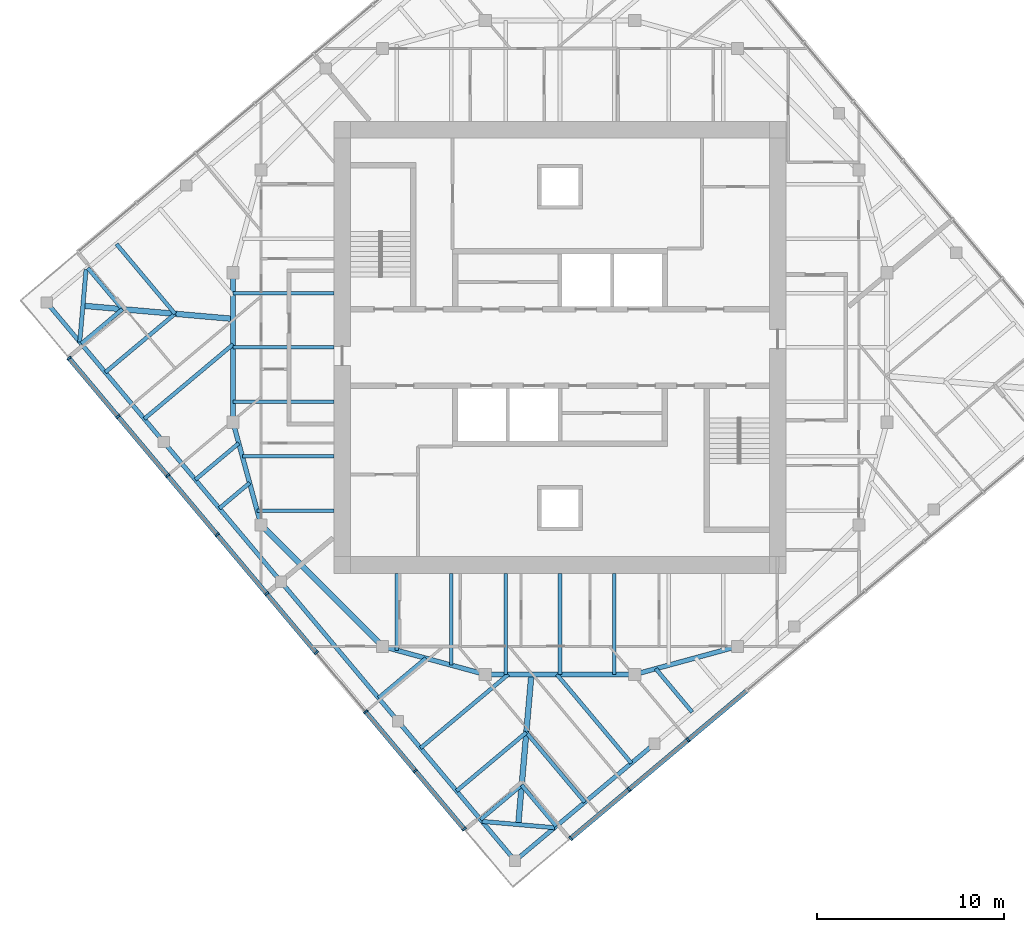
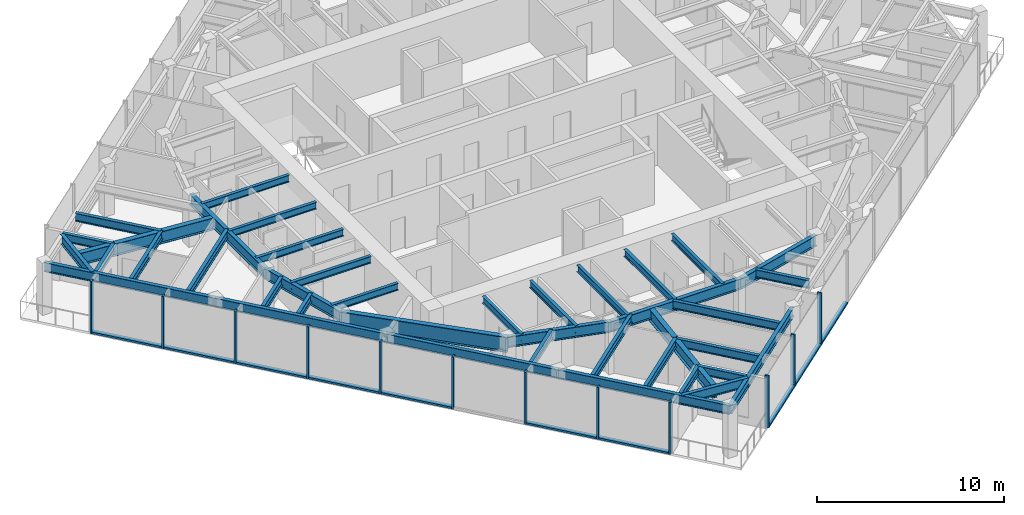
# One storey, part 2 of 12: 40 beams, 22 members, 2 elements without a shape of their own.
"""IFC4 building model written with IfcOpenShell, lengths in metres."""

from ifc_helpers import new_model, si_unit, direction, frame, origin, origin_2d, place, context, subcontext, project, spatial, rectangle, i_section, extrude, material, material_profile, profile_set, type_object, element, aggregate, save


model = new_model("IFC4")

# Units and contexts
model_context = context("Model", 3, precision=1e-05, world=origin(), true_north=direction((0.0, 1.0)))
body_context = subcontext(model_context, "Body", "Model", "MODEL_VIEW")
ifc_project = project(units=[si_unit("LENGTHUNIT", "METRE"), si_unit("AREAUNIT", "SQUARE_METRE"), si_unit("VOLUMEUNIT", "CUBIC_METRE"), si_unit("PLANEANGLEUNIT", "RADIAN"), si_unit("MASSUNIT", "GRAM", prefix="KILO")], contexts=[model_context])

# Site, building, storey
site_placement = place(None, origin())
site = spatial("IfcSite", under=ifc_project, at=site_placement, CompositionType="ELEMENT")
building_placement = place(site_placement, origin())
building = spatial("IfcBuilding", under=site, at=building_placement, Name="Torsade Residences", CompositionType="ELEMENT")
storey_placement = place(building_placement, frame((0.0, 0.0, 289.60009765625)))
storey = spatial("IfcBuildingStorey", under=building, at=storey_placement, Name="L80", CompositionType="ELEMENT", Elevation=289.60009765625)

# Beams
ifc_material_1 = material(Name="Steel grade 300", Category="steel")
ifc_material_profile_1 = material_profile(ifc_material_1, i_section(OverallWidth=0.300048828125, OverallDepth=0.800048828125, WebThickness=0.010009765625, FlangeThickness=0.02001953125, at=origin_2d()), Name="800WB146")
ifc_profile_set_1 = profile_set([ifc_material_profile_1], Name="Steel grade 300")
beam_type_1 = type_object("IfcBeamType", Name="CORNER GIRDER 800WB146", PredefinedType="BEAM", material=ifc_profile_set_1)
for number, where, z_axis, x_axis, name in (
    (1, (37.765869140625, 4.46484375, 2.849853515625), (0.087172957961, 0.996193191806, 0.0), (-0.996193191806, 0.087172957961, 0.0), "Corner girder 01 L81"),
    (2, (14.46484375, 32.234130859375, 2.849853515625), (0.996193191806, -0.087172957961, 0.0), (0.087172957961, 0.996193191806, 0.0), "Corner girder 13 L81"),
):
    element("IfcBeam", number, at=place(storey_placement, frame(where, z_axis=z_axis, x_axis=x_axis)), inside=storey, type_object=beam_type_1, Name=name, PredefinedType="BEAM", context=body_context, shape_type="SweptSolid", body=[
        extrude(i_section(OverallWidth=0.300048828125, OverallDepth=0.800048828125, WebThickness=0.010009765625, FlangeThickness=0.02001953125, at=origin_2d()), origin(), (0.0, 0.0, 1.0), 8.06591796875),
    ])
ifc_material_2 = material(Name="Steel grade 300", Category="steel")
ifc_material_profile_2 = material_profile(ifc_material_2, i_section(OverallWidth=0.22802734375, OverallDepth=0.60205078125, WebThickness=0.010498046875, FlangeThickness=0.014892578125, FilletRadius=0.013916015625, at=origin_2d()), Name="610UB101")
ifc_profile_set_2 = profile_set([ifc_material_profile_2], Name="Steel grade 300")
beam_type_2 = type_object("IfcBeamType", Name="CORNER TRIMMER 610UB101", PredefinedType="BEAM", material=ifc_profile_set_2)
for number, where, z_axis, x_axis, name in (
    (3, (39.703125, 4.29541015625, 2.948974609375), (-0.996196646947, 0.087133464362, 0.0), (-0.087133464362, -0.996196646947, 0.0), "Corner trimmer 01 L81"),
    (4, (14.29541015625, 30.296875, 2.948974609375), (0.087133464362, 0.996196646947, 0.0), (-0.996196646947, 0.087133464362, 0.0), "Corner trimmer 13 L81"),
):
    element("IfcBeam", number, at=place(storey_placement, frame(where, z_axis=z_axis, x_axis=x_axis)), inside=storey, type_object=beam_type_2, Name=name, PredefinedType="BEAM", context=body_context, shape_type="SweptSolid", body=[
        extrude(i_section(OverallWidth=0.22802734375, OverallDepth=0.60205078125, WebThickness=0.010498046875, FlangeThickness=0.014892578125, FilletRadius=0.013916015625, at=origin_2d()), origin(), (0.0, 0.0, 1.0), 3.88916015625),
    ])
ifc_material_3 = material(Name="Steel grade 300", Category="steel")
ifc_material_profile_3 = material_profile(ifc_material_3, i_section(OverallWidth=0.22802734375, OverallDepth=0.60205078125, WebThickness=0.010498046875, FlangeThickness=0.014892578125, FilletRadius=0.013916015625, at=origin_2d()), Name="610UB101")
ifc_profile_set_3 = profile_set([ifc_material_profile_3], Name="Steel grade 300")
beam_type_3 = type_object("IfcBeamType", Name="EDGE BEAM 610UB101", PredefinedType="SPANDREL", material=ifc_profile_set_3)
for number, where, z_axis, x_axis, name in (
    (5, (37.596435546875, 2.52783203125, 2.948974609375), (0.766051532934, 0.642779160279, 0.0), (-0.642779160279, 0.766051532934, 0.0), "Edge beam 01 L81"),
    (6, (12.52783203125, 32.403564453125, 2.948974609375), (0.642779160279, -0.766051532934, 0.0), (0.766051532934, 0.642779160279, 0.0), "Edge beam 13 L81"),
    (7, (18.794921875, 24.9345703125, 2.948974609375), (0.642779160279, -0.766051532934, 0.0), (0.766051532934, 0.642779160279, 0.0), "Edge beam 14 L81"),
    (8, (25.06201171875, 17.465576171875, 2.948974609375), (0.642806184154, -0.766028856906, 0.0), (0.766028856906, 0.642806184154, 0.0), "Edge beam 15 L81"),
    (9, (31.329345703125, 9.996826171875, 2.948974609375), (0.642779160279, -0.766051532934, 0.0), (0.766051532934, 0.642779160279, 0.0), "Edge beam 16 L81"),
):
    element("IfcBeam", number, at=place(storey_placement, frame(where, z_axis=z_axis, x_axis=x_axis)), inside=storey, type_object=beam_type_3, Name=name, PredefinedType="SPANDREL", context=body_context, shape_type="SweptSolid", body=[
        extrude(i_section(OverallWidth=0.22802734375, OverallDepth=0.60205078125, WebThickness=0.010498046875, FlangeThickness=0.014892578125, FilletRadius=0.013916015625, at=origin_2d()), origin(), (0.0, 0.0, 1.0), 9.75),
    ])

# Curtain wall, members
ifc_material_4 = material(Name="Aluminium and glass", Category="aluminium")
curtain_wall_type = type_object("IfcCurtainWallType", Name="FRITTED GLASS CURTAIN WALL HIGH ZONE", PredefinedType="NOTDEFINED", material=ifc_material_4)
curtain_wall_1_placement = place(storey_placement, origin())
curtain_wall_1 = element("IfcCurtainWall", 10, at=curtain_wall_1_placement, inside=storey, type_object=curtain_wall_type, Name="Curtain wall L80 face 1", PredefinedType="NOTDEFINED")
ifc_material_5 = material(Name="Aluminium mullion", Category="aluminium")
ifc_material_profile_4 = material_profile(ifc_material_5, rectangle(XDim=0.25, YDim=0.10009765625, at=origin_2d()), Name="HIGH ZONE CURTAIN WALL MULLION 250x100")
ifc_profile_set_4 = profile_set([ifc_material_profile_4], Name="Aluminium mullion")
member_type_1 = type_object("IfcMemberType", Name="HIGH ZONE CURTAIN WALL MULLION 250x100", PredefinedType="MULLION", material=ifc_profile_set_4)
member_1_placement = place(storey_placement, frame((40.57568359375, 3.72216796875, 0.0), z_axis=(0.0, 0.0, 1.0), x_axis=(-0.642787616853, 0.766044437106, 0.0)))
member_1 = element("IfcMember", 11, at=member_1_placement, type_object=member_type_1, Name="Mullion 1", PredefinedType="MULLION", context=body_context, shape_type="SweptSolid", body=[
    extrude(rectangle(XDim=0.25, YDim=0.10009765625, at=origin_2d()), origin(), (0.0, 0.0, 1.0), 3.39990234375),
])
member_2_placement = place(storey_placement, frame((43.697265625, 6.341552734375, 0.0), z_axis=(0.0, 0.0, 1.0), x_axis=(-0.642787616853, 0.766044437106, 0.0)))
member_2 = element("IfcMember", 12, at=member_2_placement, type_object=member_type_1, Name="Mullion 2", PredefinedType="MULLION", context=body_context, shape_type="SweptSolid", body=[
    extrude(rectangle(XDim=0.25, YDim=0.10009765625, at=origin_2d()), origin(), (0.0, 0.0, 1.0), 3.39990234375),
])
member_3_placement = place(storey_placement, frame((46.857177734375, 8.9931640625, 0.0), z_axis=(0.0, 0.0, 1.0), x_axis=(-0.642787616853, 0.766044437106, 0.0)))
member_3 = element("IfcMember", 13, at=member_3_placement, type_object=member_type_1, Name="Mullion 3", PredefinedType="MULLION", context=body_context, shape_type="SweptSolid", body=[
    extrude(rectangle(XDim=0.25, YDim=0.10009765625, at=origin_2d()), origin(), (0.0, 0.0, 1.0), 3.39990234375),
])

curtain_wall_2_placement = place(storey_placement, origin())
curtain_wall_2 = element("IfcCurtainWall", 14, at=curtain_wall_2_placement, inside=storey, type_object=curtain_wall_type, Name="Curtain wall L80 face 10", PredefinedType="NOTDEFINED")
member_4_placement = place(storey_placement, frame((13.72216796875, 29.42431640625, 0.0), z_axis=(0.0, 0.0, 1.0), x_axis=(0.766044437106, 0.642787616853, 0.0)))
member_4 = element("IfcMember", 15, at=member_4_placement, type_object=member_type_1, Name="Mullion 1", PredefinedType="MULLION", context=body_context, shape_type="SweptSolid", body=[
    extrude(rectangle(XDim=0.25, YDim=0.10009765625, at=origin_2d()), origin(), (0.0, 0.0, 1.0), 3.39990234375),
])
member_5_placement = place(storey_placement, frame((16.341552734375, 26.302734375, 0.0), z_axis=(0.0, 0.0, 1.0), x_axis=(0.766044437106, 0.642787616853, 0.0)))
member_5 = element("IfcMember", 16, at=member_5_placement, type_object=member_type_1, Name="Mullion 2", PredefinedType="MULLION", context=body_context, shape_type="SweptSolid", body=[
    extrude(rectangle(XDim=0.25, YDim=0.10009765625, at=origin_2d()), origin(), (0.0, 0.0, 1.0), 3.39990234375),
])
member_6_placement = place(storey_placement, frame((18.9931640625, 23.142822265625, 0.0), z_axis=(0.0, 0.0, 1.0), x_axis=(0.766044437106, 0.642787616853, 0.0)))
member_6 = element("IfcMember", 17, at=member_6_placement, type_object=member_type_1, Name="Mullion 3", PredefinedType="MULLION", context=body_context, shape_type="SweptSolid", body=[
    extrude(rectangle(XDim=0.25, YDim=0.10009765625, at=origin_2d()), origin(), (0.0, 0.0, 1.0), 3.39990234375),
])
member_7_placement = place(storey_placement, frame((21.64453125, 19.982666015625, 0.0), z_axis=(0.0, 0.0, 1.0), x_axis=(0.766044437106, 0.642787616853, 0.0)))
member_7 = element("IfcMember", 18, at=member_7_placement, type_object=member_type_1, Name="Mullion 4", PredefinedType="MULLION", context=body_context, shape_type="SweptSolid", body=[
    extrude(rectangle(XDim=0.25, YDim=0.10009765625, at=origin_2d()), origin(), (0.0, 0.0, 1.0), 3.39990234375),
])
member_8_placement = place(storey_placement, frame((24.296142578125, 16.82275390625, 0.0), z_axis=(0.0, 0.0, 1.0), x_axis=(0.766044437106, 0.642787616853, 0.0)))
member_8 = element("IfcMember", 19, at=member_8_placement, type_object=member_type_1, Name="Mullion 5", PredefinedType="MULLION", context=body_context, shape_type="SweptSolid", body=[
    extrude(rectangle(XDim=0.25, YDim=0.10009765625, at=origin_2d()), origin(), (0.0, 0.0, 1.0), 3.39990234375),
])
member_9_placement = place(storey_placement, frame((26.947509765625, 13.662841796875, 0.0), z_axis=(0.0, 0.0, 1.0), x_axis=(0.766044437106, 0.642787616853, 0.0)))
member_9 = element("IfcMember", 20, at=member_9_placement, type_object=member_type_1, Name="Mullion 6", PredefinedType="MULLION", context=body_context, shape_type="SweptSolid", body=[
    extrude(rectangle(XDim=0.25, YDim=0.10009765625, at=origin_2d()), origin(), (0.0, 0.0, 1.0), 3.39990234375),
])
member_10_placement = place(storey_placement, frame((29.59912109375, 10.5029296875, 0.0), z_axis=(0.0, 0.0, 1.0), x_axis=(0.766044437106, 0.642787616853, 0.0)))
member_10 = element("IfcMember", 21, at=member_10_placement, type_object=member_type_1, Name="Mullion 7", PredefinedType="MULLION", context=body_context, shape_type="SweptSolid", body=[
    extrude(rectangle(XDim=0.25, YDim=0.10009765625, at=origin_2d()), origin(), (0.0, 0.0, 1.0), 3.39990234375),
])
member_11_placement = place(storey_placement, frame((32.25048828125, 7.343017578125, 0.0), z_axis=(0.0, 0.0, 1.0), x_axis=(0.766044437106, 0.642787616853, 0.0)))
member_11 = element("IfcMember", 22, at=member_11_placement, type_object=member_type_1, Name="Mullion 8", PredefinedType="MULLION", context=body_context, shape_type="SweptSolid", body=[
    extrude(rectangle(XDim=0.25, YDim=0.10009765625, at=origin_2d()), origin(), (0.0, 0.0, 1.0), 3.39990234375),
])
member_12_placement = place(storey_placement, frame((34.869873046875, 4.221435546875, 0.0), z_axis=(0.0, 0.0, 1.0), x_axis=(0.766044437106, 0.642787616853, 0.0)))
member_12 = element("IfcMember", 23, at=member_12_placement, type_object=member_type_1, Name="Mullion 9", PredefinedType="MULLION", context=body_context, shape_type="SweptSolid", body=[
    extrude(rectangle(XDim=0.25, YDim=0.10009765625, at=origin_2d()), origin(), (0.0, 0.0, 1.0), 3.39990234375),
])

# Member
ifc_material_6 = material(Name="Aluminium transom", Category="aluminium")
ifc_material_profile_5 = material_profile(ifc_material_6, rectangle(XDim=0.25, YDim=0.1201171875, at=origin_2d()), Name="HIGH ZONE CURTAIN WALL TRANSOM 250x120")
ifc_profile_set_5 = profile_set([ifc_material_profile_5], Name="Aluminium transom")
member_type_2 = type_object("IfcMemberType", Name="HIGH ZONE CURTAIN WALL TRANSOM 250x120", PredefinedType="USERDEFINED", material=ifc_profile_set_5)
member_13_placement = place(storey_placement, frame((40.614013671875, 3.75439453125, 0.059814453125), z_axis=(0.766021778456, 0.642814619413, 0.0), x_axis=(-0.642814619413, 0.766021778456, 0.0)))
member_13 = element("IfcMember", 24, at=member_13_placement, type_object=member_type_2, Name="Transom 1.1", ObjectType="TRANSOM", PredefinedType="USERDEFINED", context=body_context, shape_type="SweptSolid", body=[
    extrude(rectangle(XDim=0.25, YDim=0.1201171875, at=origin_2d()), origin(), (0.0, 0.0, 1.0), 3.97509765625),
])

member_14_placement = place(storey_placement, frame((43.735595703125, 6.373779296875, 0.059814453125), z_axis=(0.766069182322, 0.6427581255, 0.0), x_axis=(-0.6427581255, 0.766069182322, 0.0)))
member_14 = element("IfcMember", 25, at=member_14_placement, type_object=member_type_2, Name="Transom 2.1", ObjectType="TRANSOM", PredefinedType="USERDEFINED", context=body_context, shape_type="SweptSolid", body=[
    extrude(rectangle(XDim=0.25, YDim=0.1201171875, at=origin_2d()), origin(), (0.0, 0.0, 1.0), 4.025146484375),
])

member_15_placement = place(storey_placement, frame((46.8955078125, 9.025146484375, 0.059814453125), z_axis=(0.766039316443, 0.642793719372, 0.0), x_axis=(-0.642793719372, 0.766039316443, 0.0)))
member_15 = element("IfcMember", 26, at=member_15_placement, type_object=member_type_2, Name="Transom 3.1", ObjectType="TRANSOM", PredefinedType="USERDEFINED", context=body_context, shape_type="SweptSolid", body=[
    extrude(rectangle(XDim=0.25, YDim=0.1201171875, at=origin_2d()), origin(), (0.0, 0.0, 1.0), 4.025146484375),
])

aggregate(curtain_wall_1, [member_1, member_2, member_3, member_13, member_14, member_15])

member_16_placement = place(storey_placement, frame((13.75439453125, 29.385986328125, 0.059814453125), z_axis=(0.642814619413, -0.766021778456, 0.0), x_axis=(0.766021778456, 0.642814619413, 0.0)))
member_16 = element("IfcMember", 27, at=member_16_placement, type_object=member_type_2, Name="Transom 1.1", ObjectType="TRANSOM", PredefinedType="USERDEFINED", context=body_context, shape_type="SweptSolid", body=[
    extrude(rectangle(XDim=0.25, YDim=0.1201171875, at=origin_2d()), origin(), (0.0, 0.0, 1.0), 3.97509765625),
])

member_17_placement = place(storey_placement, frame((16.373779296875, 26.264404296875, 0.059814453125), z_axis=(0.6427581255, -0.766069182322, 0.0), x_axis=(0.766069182322, 0.6427581255, 0.0)))
member_17 = element("IfcMember", 28, at=member_17_placement, type_object=member_type_2, Name="Transom 2.1", ObjectType="TRANSOM", PredefinedType="USERDEFINED", context=body_context, shape_type="SweptSolid", body=[
    extrude(rectangle(XDim=0.25, YDim=0.1201171875, at=origin_2d()), origin(), (0.0, 0.0, 1.0), 4.025146484375),
])

member_18_placement = place(storey_placement, frame((19.025146484375, 23.1044921875, 0.059814453125), z_axis=(0.642793719372, -0.766039316443, 0.0), x_axis=(0.766039316443, 0.642793719372, 0.0)))
member_18 = element("IfcMember", 29, at=member_18_placement, type_object=member_type_2, Name="Transom 3.1", ObjectType="TRANSOM", PredefinedType="USERDEFINED", context=body_context, shape_type="SweptSolid", body=[
    extrude(rectangle(XDim=0.25, YDim=0.1201171875, at=origin_2d()), origin(), (0.0, 0.0, 1.0), 4.025146484375),
])

member_19_placement = place(storey_placement, frame((21.6767578125, 19.944580078125, 0.059814453125), z_axis=(0.6427581255, -0.766069182322, 0.0), x_axis=(0.766069182322, 0.6427581255, 0.0)))
member_19 = element("IfcMember", 30, at=member_19_placement, type_object=member_type_2, Name="Transom 4.1", ObjectType="TRANSOM", PredefinedType="USERDEFINED", context=body_context, shape_type="SweptSolid", body=[
    extrude(rectangle(XDim=0.25, YDim=0.1201171875, at=origin_2d()), origin(), (0.0, 0.0, 1.0), 4.025146484375),
])

member_20_placement = place(storey_placement, frame((24.328125, 16.78466796875, 0.059814453125), z_axis=(0.642793719372, -0.766039316443, 0.0), x_axis=(0.766039316443, 0.642793719372, 0.0)))
member_20 = element("IfcMember", 31, at=member_20_placement, type_object=member_type_2, Name="Transom 5.1", ObjectType="TRANSOM", PredefinedType="USERDEFINED", context=body_context, shape_type="SweptSolid", body=[
    extrude(rectangle(XDim=0.25, YDim=0.1201171875, at=origin_2d()), origin(), (0.0, 0.0, 1.0), 4.025146484375),
])

member_21_placement = place(storey_placement, frame((29.63134765625, 10.464599609375, 0.059814453125), z_axis=(0.642787992616, -0.766044121803, 0.0), x_axis=(0.766044121803, 0.642787992616, 0.0)))
member_21 = element("IfcMember", 32, at=member_21_placement, type_object=member_type_2, Name="Transom 7.1", ObjectType="TRANSOM", PredefinedType="USERDEFINED", context=body_context, shape_type="SweptSolid", body=[
    extrude(rectangle(XDim=0.25, YDim=0.1201171875, at=origin_2d()), origin(), (0.0, 0.0, 1.0), 4.02490234375),
])

member_22_placement = place(storey_placement, frame((32.28271484375, 7.3046875, 0.059814453125), z_axis=(0.642814619413, -0.766021778456, 0.0), x_axis=(0.766021778456, 0.642814619413, 0.0)))
member_22 = element("IfcMember", 33, at=member_22_placement, type_object=member_type_2, Name="Transom 8.1", ObjectType="TRANSOM", PredefinedType="USERDEFINED", context=body_context, shape_type="SweptSolid", body=[
    extrude(rectangle(XDim=0.25, YDim=0.1201171875, at=origin_2d()), origin(), (0.0, 0.0, 1.0), 3.97509765625),
])

aggregate(curtain_wall_2, [member_4, member_5, member_6, member_7, member_8, member_9, member_10, member_11, member_12, member_16, member_17, member_18, member_19, member_20, member_21, member_22])

# Beams
ifc_material_7 = material(Name="Steel grade 300", Category="steel")
ifc_material_profile_6 = material_profile(ifc_material_7, i_section(OverallWidth=0.18994140625, OverallDepth=0.4541015625, WebThickness=0.008544921875, FlangeThickness=0.0126953125, FilletRadius=0.011474609375, at=origin_2d()), Name="460UB67.1")
ifc_profile_set_6 = profile_set([ifc_material_profile_6], Name="Steel grade 300")
beam_type_4 = type_object("IfcBeamType", Name="INNER FLOOR BEAM 460UB67.1", PredefinedType="JOIST", material=ifc_profile_set_6)
for number, where, z_axis, x_axis, name in (
    (34, (42.91259765625, 17.89990234375, 3.02294921875), (0.0, -1.0, 0.0), (1.0, 0.0, 0.0), "Inner floor beam IS03 L81"),
    (35, (40.0, 17.89990234375, 3.02294921875), (0.0, -1.0, 0.0), (1.0, 0.0, 0.0), "Inner floor beam IS04 L81"),
    (36, (37.08740234375, 17.89990234375, 3.02294921875), (0.0, -1.0, 0.0), (1.0, 0.0, 0.0), "Inner floor beam IS05 L81"),
):
    element("IfcBeam", number, at=place(storey_placement, frame(where, z_axis=z_axis, x_axis=x_axis)), inside=storey, type_object=beam_type_4, Name=name, PredefinedType="JOIST", context=body_context, shape_type="SweptSolid", body=[
        extrude(i_section(OverallWidth=0.18994140625, OverallDepth=0.4541015625, WebThickness=0.008544921875, FlangeThickness=0.0126953125, FilletRadius=0.011474609375, at=origin_2d()), origin(), (0.0, 0.0, 1.0), 5.39990234375),
    ])
beam_1_placement = place(storey_placement, frame((34.175048828125, 17.89990234375, 3.02294921875), z_axis=(0.0, -1.0, 0.0), x_axis=(1.0, 0.0, 0.0)))
element("IfcBeam", 37, at=beam_1_placement, inside=storey, type_object=beam_type_4, Name="Inner floor beam IS06 L81", PredefinedType="JOIST", context=body_context, shape_type="SweptSolid", body=[
    extrude(i_section(OverallWidth=0.18994140625, OverallDepth=0.4541015625, WebThickness=0.008544921875, FlangeThickness=0.0126953125, FilletRadius=0.011474609375, at=origin_2d()), origin(), (0.0, 0.0, 1.0), 4.902099609375),
])
beam_2_placement = place(storey_placement, frame((31.262451171875, 17.89990234375, 3.02294921875), z_axis=(0.0, -1.0, 0.0), x_axis=(1.0, 0.0, 0.0)))
element("IfcBeam", 38, at=beam_2_placement, inside=storey, type_object=beam_type_4, Name="Inner floor beam IS07 L81", PredefinedType="JOIST", context=body_context, shape_type="SweptSolid", body=[
    extrude(i_section(OverallWidth=0.18994140625, OverallDepth=0.4541015625, WebThickness=0.008544921875, FlangeThickness=0.0126953125, FilletRadius=0.011474609375, at=origin_2d()), origin(), (0.0, 0.0, 1.0), 4.10791015625),
])
for number, where, z_axis, x_axis, name in (
    (39, (27.89990234375, 32.91259765625, 3.02294921875), (-1.0, 0.0, 0.0), (0.0, -1.0, 0.0), "Inner floor beam IW03 L81"),
    (40, (27.89990234375, 30.0, 3.02294921875), (-1.0, 0.0, 0.0), (0.0, -1.0, 0.0), "Inner floor beam IW04 L81"),
    (41, (27.89990234375, 27.08740234375, 3.02294921875), (-1.0, 0.0, 0.0), (0.0, -1.0, 0.0), "Inner floor beam IW05 L81"),
):
    element("IfcBeam", number, at=place(storey_placement, frame(where, z_axis=z_axis, x_axis=x_axis)), inside=storey, type_object=beam_type_4, Name=name, PredefinedType="JOIST", context=body_context, shape_type="SweptSolid", body=[
        extrude(i_section(OverallWidth=0.18994140625, OverallDepth=0.4541015625, WebThickness=0.008544921875, FlangeThickness=0.0126953125, FilletRadius=0.011474609375, at=origin_2d()), origin(), (0.0, 0.0, 1.0), 5.39990234375),
    ])
beam_3_placement = place(storey_placement, frame((27.89990234375, 24.175048828125, 3.02294921875), z_axis=(-1.0, 0.0, 0.0), x_axis=(0.0, -1.0, 0.0)))
element("IfcBeam", 42, at=beam_3_placement, inside=storey, type_object=beam_type_4, Name="Inner floor beam IW06 L81", PredefinedType="JOIST", context=body_context, shape_type="SweptSolid", body=[
    extrude(i_section(OverallWidth=0.18994140625, OverallDepth=0.4541015625, WebThickness=0.008544921875, FlangeThickness=0.0126953125, FilletRadius=0.011474609375, at=origin_2d()), origin(), (0.0, 0.0, 1.0), 4.902099609375),
])
beam_4_placement = place(storey_placement, frame((27.89990234375, 21.262451171875, 3.02294921875), z_axis=(-1.0, 0.0, 0.0), x_axis=(0.0, -1.0, 0.0)))
element("IfcBeam", 43, at=beam_4_placement, inside=storey, type_object=beam_type_4, Name="Inner floor beam IW07 L81", PredefinedType="JOIST", context=body_context, shape_type="SweptSolid", body=[
    extrude(i_section(OverallWidth=0.18994140625, OverallDepth=0.4541015625, WebThickness=0.008544921875, FlangeThickness=0.0126953125, FilletRadius=0.011474609375, at=origin_2d()), origin(), (0.0, 0.0, 1.0), 4.10791015625),
])
ifc_material_8 = material(Name="Steel grade 300", Category="steel")
ifc_material_profile_7 = material_profile(ifc_material_8, i_section(OverallWidth=0.300048828125, OverallDepth=1.0, WebThickness=0.01611328125, FlangeThickness=0.028076171875, at=origin_2d()), Name="1000WB215")
ifc_profile_set_7 = profile_set([ifc_material_profile_7], Name="Steel grade 300")
beam_type_5 = type_object("IfcBeamType", Name="RING CORNER GIRDER 1000WB215", PredefinedType="BEAM", material=ifc_profile_set_7)
beam_5_placement = place(storey_placement, frame((24.0, 20.5, 2.75), z_axis=(0.707106781187, -0.707106781187, 0.0), x_axis=(0.707106781187, 0.707106781187, 0.0)))
element("IfcBeam", 44, at=beam_5_placement, inside=storey, type_object=beam_type_5, Name="Ring girder IR11 L81", PredefinedType="BEAM", context=body_context, shape_type="SweptSolid", body=[
    extrude(i_section(OverallWidth=0.300048828125, OverallDepth=1.0, WebThickness=0.01611328125, FlangeThickness=0.028076171875, at=origin_2d()), origin(), (0.0, 0.0, 1.0), 9.1923828125),
])
ifc_material_9 = material(Name="Steel grade 300", Category="steel")
ifc_material_profile_8 = material_profile(ifc_material_9, i_section(OverallWidth=0.25, OverallDepth=0.699951171875, WebThickness=0.010009765625, FlangeThickness=0.02001953125, at=origin_2d()), Name="700WB130")
ifc_profile_set_8 = profile_set([ifc_material_profile_8], Name="Steel grade 300")
beam_type_6 = type_object("IfcBeamType", Name="RING GIRDER 700WB130", PredefinedType="BEAM", material=ifc_profile_set_8)
beam_6_placement = place(storey_placement, frame((22.5, 34.0, 2.89990234375), z_axis=(0.0, -1.0, 0.0), x_axis=(1.0, 0.0, 0.0)))
element("IfcBeam", 45, at=beam_6_placement, inside=storey, type_object=beam_type_6, Name="Ring girder IR09 L81", PredefinedType="BEAM", context=body_context, shape_type="SweptSolid", body=[
    extrude(i_section(OverallWidth=0.25, OverallDepth=0.699951171875, WebThickness=0.010009765625, FlangeThickness=0.02001953125, at=origin_2d()), origin(), (0.0, 0.0, 1.0), 8.0),
])
for number, where, z_axis, x_axis, name in (
    (46, (22.5, 26.0, 2.89990234375), (0.263117405792, -0.964763821238, 0.0), (0.964763821238, 0.263117405792, 0.0), "Ring girder IR10 L81"),
    (47, (30.5, 14.0, 2.89990234375), (0.964763821238, -0.263117405792, 0.0), (0.263117405792, 0.964763821238, 0.0), "Ring girder IR12 L81"),
):
    element("IfcBeam", number, at=place(storey_placement, frame(where, z_axis=z_axis, x_axis=x_axis)), inside=storey, type_object=beam_type_6, Name=name, PredefinedType="BEAM", context=body_context, shape_type="SweptSolid", body=[
        extrude(i_section(OverallWidth=0.25, OverallDepth=0.699951171875, WebThickness=0.010009765625, FlangeThickness=0.02001953125, at=origin_2d()), origin(), (0.0, 0.0, 1.0), 5.700927734375),
    ])
beam_7_placement = place(storey_placement, frame((36.0, 12.5, 2.89990234375), z_axis=(1.0, 0.0, 0.0), x_axis=(0.0, 1.0, 0.0)))
element("IfcBeam", 48, at=beam_7_placement, inside=storey, type_object=beam_type_6, Name="Ring girder IR13 L81", PredefinedType="BEAM", context=body_context, shape_type="SweptSolid", body=[
    extrude(i_section(OverallWidth=0.25, OverallDepth=0.699951171875, WebThickness=0.010009765625, FlangeThickness=0.02001953125, at=origin_2d()), origin(), (0.0, 0.0, 1.0), 8.0),
])
beam_8_placement = place(storey_placement, frame((44.0, 12.5, 2.89990234375), z_axis=(0.964763821238, 0.263117405792, 0.0), x_axis=(-0.263117405792, 0.964763821238, 0.0)))
element("IfcBeam", 49, at=beam_8_placement, inside=storey, type_object=beam_type_6, Name="Ring girder IR14 L81", PredefinedType="BEAM", context=body_context, shape_type="SweptSolid", body=[
    extrude(i_section(OverallWidth=0.25, OverallDepth=0.699951171875, WebThickness=0.010009765625, FlangeThickness=0.02001953125, at=origin_2d()), origin(), (0.0, 0.0, 1.0), 5.700927734375),
])
ifc_material_10 = material(Name="Steel grade 300", Category="steel")
ifc_material_profile_9 = material_profile(ifc_material_10, i_section(OverallWidth=0.208984375, OverallDepth=0.532958984375, WebThickness=0.01025390625, FlangeThickness=0.015625, FilletRadius=0.013916015625, at=origin_2d()), Name="530UB92.4")
ifc_profile_set_9 = profile_set([ifc_material_profile_9], Name="Steel grade 300")
beam_type_7 = type_object("IfcBeamType", Name="SECONDARY BEAM 530UB92.4", PredefinedType="JOIST", material=ifc_profile_set_9)
beam_9_placement = place(storey_placement, frame((39.798828125, 4.375732421875, 2.9833984375), z_axis=(-0.642761807001, 0.766066093402, 0.0), x_axis=(-0.766066093402, -0.642761807001, 0.0)))
element("IfcBeam", 50, at=beam_9_placement, inside=storey, type_object=beam_type_7, Name="Floor beam FS01 L81", PredefinedType="JOIST", context=body_context, shape_type="SweptSolid", body=[
    extrude(i_section(OverallWidth=0.208984375, OverallDepth=0.532958984375, WebThickness=0.01025390625, FlangeThickness=0.015625, FilletRadius=0.013916015625, at=origin_2d()), origin(), (0.0, 0.0, 1.0), 2.875),
])
beam_10_placement = place(storey_placement, frame((41.3310546875, 5.661376953125, 2.9833984375), z_axis=(-0.642820877376, 0.766016526982, 0.0), x_axis=(-0.766016526982, -0.642820877376, 0.0)))
element("IfcBeam", 51, at=beam_10_placement, inside=storey, type_object=beam_type_7, Name="Floor beam FS02 L81", PredefinedType="JOIST", context=body_context, shape_type="SweptSolid", body=[
    extrude(i_section(OverallWidth=0.208984375, OverallDepth=0.532958984375, WebThickness=0.01025390625, FlangeThickness=0.015625, FilletRadius=0.013916015625, at=origin_2d()), origin(), (0.0, 0.0, 1.0), 4.875),
])
beam_11_placement = place(storey_placement, frame((43.820556640625, 7.75048828125, 2.9833984375), z_axis=(-0.642791209238, 0.766041422722, 0.0), x_axis=(-0.766041422722, -0.642791209238, 0.0)))
element("IfcBeam", 52, at=beam_11_placement, inside=storey, type_object=beam_type_7, Name="Floor beam FS03 L81", PredefinedType="JOIST", context=body_context, shape_type="SweptSolid", body=[
    extrude(i_section(OverallWidth=0.208984375, OverallDepth=0.532958984375, WebThickness=0.01025390625, FlangeThickness=0.015625, FilletRadius=0.013916015625, at=origin_2d()), origin(), (0.0, 0.0, 1.0), 6.199951171875),
])
beam_12_placement = place(storey_placement, frame((47.076171875, 10.482177734375, 2.9833984375), z_axis=(-0.64274480196, 0.766080361029, 0.0), x_axis=(-0.766080361029, -0.64274480196, 0.0)))
element("IfcBeam", 53, at=beam_12_placement, inside=storey, type_object=beam_type_7, Name="Floor beam FS04 L81", PredefinedType="JOIST", context=body_context, shape_type="SweptSolid", body=[
    extrude(i_section(OverallWidth=0.208984375, OverallDepth=0.532958984375, WebThickness=0.01025390625, FlangeThickness=0.015625, FilletRadius=0.013916015625, at=origin_2d()), origin(), (0.0, 0.0, 1.0), 3.03466796875),
])
beam_13_placement = place(storey_placement, frame((16.26220703125, 35.537109375, 2.9833984375), z_axis=(0.642791490223, -0.766041186946, 0.0), x_axis=(0.766041186946, 0.642791490223, 0.0)))
element("IfcBeam", 54, at=beam_13_placement, inside=storey, type_object=beam_type_7, Name="Floor beam FN11 L81", PredefinedType="JOIST", context=body_context, shape_type="SweptSolid", body=[
    extrude(i_section(OverallWidth=0.208984375, OverallDepth=0.532958984375, WebThickness=0.01025390625, FlangeThickness=0.015625, FilletRadius=0.013916015625, at=origin_2d()), origin(), (0.0, 0.0, 1.0), 4.875),
])
for number, where, z_axis, x_axis, name in (
    (55, (14.730224609375, 34.25146484375, 2.9833984375), (0.642761807001, -0.766066093402, 0.0), (0.766066093402, 0.642761807001, 0.0), "Floor beam FN12 L81"),
    (56, (14.375732421875, 30.201171875, 2.9833984375), (0.766066093402, 0.642761807001, 0.0), (-0.642761807001, 0.766066093402, 0.0), "Floor beam FW01 L81"),
):
    element("IfcBeam", number, at=place(storey_placement, frame(where, z_axis=z_axis, x_axis=x_axis)), inside=storey, type_object=beam_type_7, Name=name, PredefinedType="JOIST", context=body_context, shape_type="SweptSolid", body=[
        extrude(i_section(OverallWidth=0.208984375, OverallDepth=0.532958984375, WebThickness=0.01025390625, FlangeThickness=0.015625, FilletRadius=0.013916015625, at=origin_2d()), origin(), (0.0, 0.0, 1.0), 2.875),
    ])
beam_14_placement = place(storey_placement, frame((15.661376953125, 28.6689453125, 2.9833984375), z_axis=(0.766016526982, 0.642820877376, 0.0), x_axis=(-0.642820877376, 0.766016526982, 0.0)))
element("IfcBeam", 57, at=beam_14_placement, inside=storey, type_object=beam_type_7, Name="Floor beam FW02 L81", PredefinedType="JOIST", context=body_context, shape_type="SweptSolid", body=[
    extrude(i_section(OverallWidth=0.208984375, OverallDepth=0.532958984375, WebThickness=0.01025390625, FlangeThickness=0.015625, FilletRadius=0.013916015625, at=origin_2d()), origin(), (0.0, 0.0, 1.0), 4.875),
])
beam_15_placement = place(storey_placement, frame((17.75048828125, 26.179443359375, 2.9833984375), z_axis=(0.766041422722, 0.642791209238, 0.0), x_axis=(-0.642791209238, 0.766041422722, 0.0)))
element("IfcBeam", 58, at=beam_15_placement, inside=storey, type_object=beam_type_7, Name="Floor beam FW03 L81", PredefinedType="JOIST", context=body_context, shape_type="SweptSolid", body=[
    extrude(i_section(OverallWidth=0.208984375, OverallDepth=0.532958984375, WebThickness=0.01025390625, FlangeThickness=0.015625, FilletRadius=0.013916015625, at=origin_2d()), origin(), (0.0, 0.0, 1.0), 6.199951171875),
])
beam_16_placement = place(storey_placement, frame((20.482177734375, 22.923828125, 2.9833984375), z_axis=(0.766080361029, 0.64274480196, 0.0), x_axis=(-0.64274480196, 0.766080361029, 0.0)))
element("IfcBeam", 59, at=beam_16_placement, inside=storey, type_object=beam_type_7, Name="Floor beam FW04 L81", PredefinedType="JOIST", context=body_context, shape_type="SweptSolid", body=[
    extrude(i_section(OverallWidth=0.208984375, OverallDepth=0.532958984375, WebThickness=0.01025390625, FlangeThickness=0.015625, FilletRadius=0.013916015625, at=origin_2d()), origin(), (0.0, 0.0, 1.0), 3.03466796875),
])
beam_17_placement = place(storey_placement, frame((21.767822265625, 21.3916015625, 2.9833984375), z_axis=(0.766057560226, 0.642771977004, 0.0), x_axis=(-0.642771977004, 0.766057560226, 0.0)))
element("IfcBeam", 60, at=beam_17_placement, inside=storey, type_object=beam_type_7, Name="Floor beam FW05 L81", PredefinedType="JOIST", context=body_context, shape_type="SweptSolid", body=[
    extrude(i_section(OverallWidth=0.208984375, OverallDepth=0.532958984375, WebThickness=0.01025390625, FlangeThickness=0.015625, FilletRadius=0.013916015625, at=origin_2d()), origin(), (0.0, 0.0, 1.0), 2.113037109375),
])
beam_18_placement = place(storey_placement, frame((30.28466796875, 11.241455078125, 2.9833984375), z_axis=(0.766044990879, 0.642786956891, 0.0), x_axis=(-0.642786956891, 0.766044990879, 0.0)))
element("IfcBeam", 61, at=beam_18_placement, inside=storey, type_object=beam_type_7, Name="Floor beam FW09 L81", PredefinedType="JOIST", context=body_context, shape_type="SweptSolid", body=[
    extrude(i_section(OverallWidth=0.208984375, OverallDepth=0.532958984375, WebThickness=0.01025390625, FlangeThickness=0.015625, FilletRadius=0.013916015625, at=origin_2d()), origin(), (0.0, 0.0, 1.0), 3.307861328125),
])
beam_19_placement = place(storey_placement, frame((32.534423828125, 8.560302734375, 2.9833984375), z_axis=(0.766039049329, 0.642794037701, 0.0), x_axis=(-0.642794037701, 0.766039049329, 0.0)))
element("IfcBeam", 62, at=beam_19_placement, inside=storey, type_object=beam_type_7, Name="Floor beam FW10 L81", PredefinedType="JOIST", context=body_context, shape_type="SweptSolid", body=[
    extrude(i_section(OverallWidth=0.208984375, OverallDepth=0.532958984375, WebThickness=0.01025390625, FlangeThickness=0.015625, FilletRadius=0.013916015625, at=origin_2d()), origin(), (0.0, 0.0, 1.0), 6.12890625),
])
beam_20_placement = place(storey_placement, frame((34.462890625, 6.26220703125, 2.9833984375), z_axis=(0.766041186946, 0.642791490223, 0.0), x_axis=(-0.642791490223, 0.766041186946, 0.0)))
element("IfcBeam", 63, at=beam_20_placement, inside=storey, type_object=beam_type_7, Name="Floor beam FW11 L81", PredefinedType="JOIST", context=body_context, shape_type="SweptSolid", body=[
    extrude(i_section(OverallWidth=0.208984375, OverallDepth=0.532958984375, WebThickness=0.01025390625, FlangeThickness=0.015625, FilletRadius=0.013916015625, at=origin_2d()), origin(), (0.0, 0.0, 1.0), 4.875),
])
beam_21_placement = place(storey_placement, frame((35.74853515625, 4.730224609375, 2.9833984375), z_axis=(0.766066093402, 0.642761807001, 0.0), x_axis=(-0.642761807001, 0.766066093402, 0.0)))
element("IfcBeam", 64, at=beam_21_placement, inside=storey, type_object=beam_type_7, Name="Floor beam FW12 L81", PredefinedType="JOIST", context=body_context, shape_type="SweptSolid", body=[
    extrude(i_section(OverallWidth=0.208984375, OverallDepth=0.532958984375, WebThickness=0.01025390625, FlangeThickness=0.015625, FilletRadius=0.013916015625, at=origin_2d()), origin(), (0.0, 0.0, 1.0), 2.875),
])

save(model, "model.ifc")
